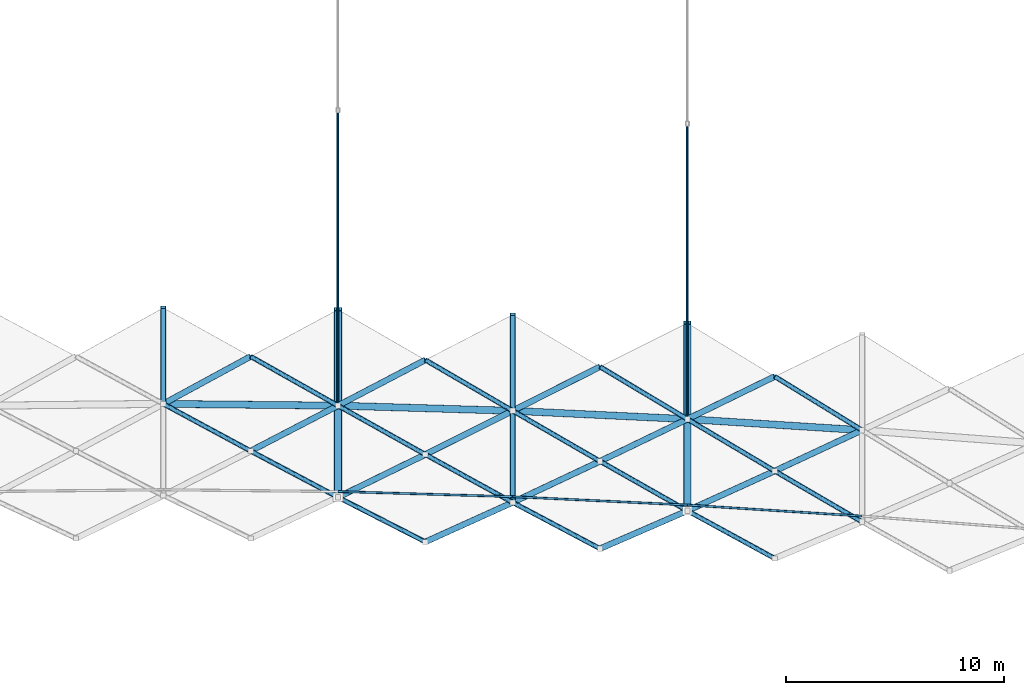
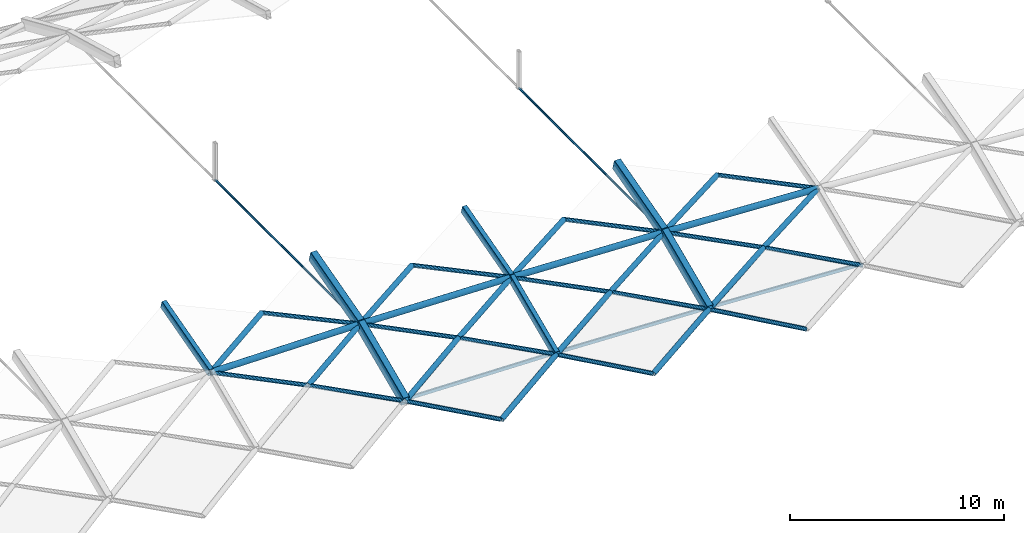
# One storey, part 10 of 54: 37 members, 7 beams.
"""IFC4 building model written with IfcOpenShell, lengths in metres."""

from ifc_helpers import new_model, si_unit, direction, frame, origin, origin_2d, place, context, subcontext, project, spatial, hollow_rectangle, hollow_circle, extrude, material, material_profile, profile_set, type_object, element, save


model = new_model("IFC4")

# Units and contexts
model_context = context("Model", 3, precision=1e-05, world=origin(), true_north=direction((0.0, 1.0)))
body_context = subcontext(model_context, "Body", "Model", "MODEL_VIEW")
ifc_project = project(units=[si_unit("LENGTHUNIT", "METRE"), si_unit("AREAUNIT", "SQUARE_METRE"), si_unit("VOLUMEUNIT", "CUBIC_METRE"), si_unit("PLANEANGLEUNIT", "RADIAN"), si_unit("MASSUNIT", "GRAM", prefix="KILO")], contexts=[model_context])

# Site, building, storey
site_placement = place(None, origin())
site = spatial("IfcSite", under=ifc_project, at=site_placement, CompositionType="ELEMENT")
building_placement = place(site_placement, origin())
building = spatial("IfcBuilding", under=site, at=building_placement, Name="Kenh Van Central Station", CompositionType="ELEMENT")
storey_placement = place(building_placement, frame((0.0, 0.0, 15.0)))
storey = spatial("IfcBuildingStorey", under=building, at=storey_placement, Name="L03", CompositionType="ELEMENT", Elevation=15.0)

# Beams
ifc_material = material(Name="White fluoropolymer structural steel S355", Category="steel")
ifc_material_profile_1 = material_profile(ifc_material, hollow_rectangle(XDim=0.35009765625, YDim=0.60009765625, WallThickness=0.01611328125, InnerFilletRadius=0.01611328125, OuterFilletRadius=0.031982421875, at=origin_2d()), Name="RHS 600x350x16")
ifc_profile_set_1 = profile_set([ifc_material_profile_1], Name="White fluoropolymer structural steel S355")
beam_type_1 = type_object("IfcBeamType", Name="BM-VAULT-ARCH600", PredefinedType="BEAM", material=ifc_profile_set_1)
beam_1_placement = place(storey_placement, frame((96.0, 73.38916015625, 2.228515625), z_axis=(0.0, 0.91578030048, 0.401679525559), x_axis=(-1.0, 0.0, 0.0)))
element("IfcBeam", 1, at=beam_1_placement, inside=storey, type_object=beam_type_1, Name="Vault transverse arch 096", PredefinedType="BEAM", context=body_context, shape_type="SweptSolid", body=[
    extrude(hollow_rectangle(XDim=0.35009765625, YDim=0.60009765625, WallThickness=0.01611328125, InnerFilletRadius=0.01611328125, OuterFilletRadius=0.031982421875, at=origin_2d()), origin(), (0.0, 0.0, 1.0), 4.582275390625),
])
beam_2_placement = place(storey_placement, frame((96.0, 77.58544921875, 4.069091796875), z_axis=(0.0, 0.96438556277, 0.26450044673), x_axis=(-1.0, 0.0, 0.0)))
element("IfcBeam", 2, at=beam_2_placement, inside=storey, type_object=beam_type_1, Name="Vault transverse arch 097", PredefinedType="BEAM", context=body_context, shape_type="SweptSolid", body=[
    extrude(hollow_rectangle(XDim=0.35009765625, YDim=0.60009765625, WallThickness=0.01611328125, InnerFilletRadius=0.01611328125, OuterFilletRadius=0.031982421875, at=origin_2d()), origin(), (0.0, 0.0, 1.0), 4.584716796875),
])
beam_3_placement = place(storey_placement, frame((112.0, 72.771240234375, 2.228515625), z_axis=(0.0, 0.91578030048, 0.401679525559), x_axis=(-1.0, 0.0, 0.0)))
element("IfcBeam", 3, at=beam_3_placement, inside=storey, type_object=beam_type_1, Name="Vault transverse arch 120", PredefinedType="BEAM", context=body_context, shape_type="SweptSolid", body=[
    extrude(hollow_rectangle(XDim=0.35009765625, YDim=0.60009765625, WallThickness=0.01611328125, InnerFilletRadius=0.01611328125, OuterFilletRadius=0.031982421875, at=origin_2d()), origin(), (0.0, 0.0, 1.0), 4.582275390625),
])
beam_4_placement = place(storey_placement, frame((112.0, 76.967529296875, 4.069091796875), z_axis=(0.0, 0.96438556277, 0.26450044673), x_axis=(-1.0, 0.0, 0.0)))
element("IfcBeam", 4, at=beam_4_placement, inside=storey, type_object=beam_type_1, Name="Vault transverse arch 121", PredefinedType="BEAM", context=body_context, shape_type="SweptSolid", body=[
    extrude(hollow_rectangle(XDim=0.35009765625, YDim=0.60009765625, WallThickness=0.01611328125, InnerFilletRadius=0.01611328125, OuterFilletRadius=0.031982421875, at=origin_2d()), origin(), (0.0, 0.0, 1.0), 4.584716796875),
])
ifc_material_profile_2 = material_profile(ifc_material, hollow_rectangle(XDim=0.25, YDim=0.449951171875, WallThickness=0.012451171875, InnerFilletRadius=0.012451171875, OuterFilletRadius=0.02490234375, at=origin_2d()), Name="RHS 450x250x12.5")
ifc_profile_set_2 = profile_set([ifc_material_profile_2], Name="White fluoropolymer structural steel S355")
beam_type_2 = type_object("IfcBeamType", Name="BM-VAULT-SUB450", PredefinedType="BEAM", material=ifc_profile_set_2)
beam_5_placement = place(storey_placement, frame((88.0, 77.665771484375, 4.069091796875), z_axis=(0.0, 0.964381836979, 0.264514030829), x_axis=(-1.0, 0.0, 0.0)))
element("IfcBeam", 5, at=beam_5_placement, inside=storey, type_object=beam_type_2, Name="Vault transverse arch 085", PredefinedType="BEAM", context=body_context, shape_type="SweptSolid", body=[
    extrude(hollow_rectangle(XDim=0.25, YDim=0.449951171875, WallThickness=0.012451171875, InnerFilletRadius=0.012451171875, OuterFilletRadius=0.02490234375, at=origin_2d()), origin(), (0.0, 0.0, 1.0), 4.58447265625),
])
beam_6_placement = place(storey_placement, frame((104.0, 73.152587890625, 2.228515625), z_axis=(0.0, 0.91578030048, 0.401679525559), x_axis=(-1.0, 0.0, 0.0)))
element("IfcBeam", 6, at=beam_6_placement, inside=storey, type_object=beam_type_2, Name="Vault transverse arch 108", PredefinedType="BEAM", context=body_context, shape_type="SweptSolid", body=[
    extrude(hollow_rectangle(XDim=0.25, YDim=0.449951171875, WallThickness=0.012451171875, InnerFilletRadius=0.012451171875, OuterFilletRadius=0.02490234375, at=origin_2d()), origin(), (0.0, 0.0, 1.0), 4.582275390625),
])
beam_7_placement = place(storey_placement, frame((104.0, 77.348876953125, 4.069091796875), z_axis=(0.0, 0.964381836979, 0.264514030829), x_axis=(-1.0, 0.0, 0.0)))
element("IfcBeam", 7, at=beam_7_placement, inside=storey, type_object=beam_type_2, Name="Vault transverse arch 109", PredefinedType="BEAM", context=body_context, shape_type="SweptSolid", body=[
    extrude(hollow_rectangle(XDim=0.25, YDim=0.449951171875, WallThickness=0.012451171875, InnerFilletRadius=0.012451171875, OuterFilletRadius=0.02490234375, at=origin_2d()), origin(), (0.0, 0.0, 1.0), 4.58447265625),
])

# Members
ifc_material_profile_3 = material_profile(ifc_material, hollow_rectangle(XDim=0.10009765625, YDim=0.199951171875, WallThickness=0.008056640625, InnerFilletRadius=0.008056640625, OuterFilletRadius=0.01611328125, at=origin_2d()), Name="RHS 200x100x8")
ifc_profile_set_3 = profile_set([ifc_material_profile_3], Name="White fluoropolymer structural steel S355")
member_type_1 = type_object("IfcMemberType", Name="MEM-PUR-RHS200", PredefinedType="PURLIN", material=ifc_profile_set_3)
member_1_placement = place(storey_placement, frame((96.0, 73.652587890625, 2.13330078125), z_axis=(0.999562147036, -0.029589089436, 0.0), x_axis=(0.029589089436, 0.999562147036, 0.0)))
element("IfcMember", 8, at=member_1_placement, inside=storey, type_object=member_type_1, Name="Vault longitudinal purlin 009", PredefinedType="PURLIN", context=body_context, shape_type="SweptSolid", body=[
    extrude(hollow_rectangle(XDim=0.10009765625, YDim=0.199951171875, WallThickness=0.008056640625, InnerFilletRadius=0.008056640625, OuterFilletRadius=0.01611328125, at=origin_2d()), origin(), (0.0, 0.0, 1.0), 8.00341796875),
])
member_2_placement = place(storey_placement, frame((104.0, 73.415771484375, 2.13330078125), z_axis=(0.998867240988, -0.047583977148, 0.0), x_axis=(0.047583977148, 0.998867240988, 0.0)))
element("IfcMember", 9, at=member_2_placement, inside=storey, type_object=member_type_1, Name="Vault longitudinal purlin 010", PredefinedType="PURLIN", context=body_context, shape_type="SweptSolid", body=[
    extrude(hollow_rectangle(XDim=0.10009765625, YDim=0.199951171875, WallThickness=0.008056640625, InnerFilletRadius=0.008056640625, OuterFilletRadius=0.01611328125, at=origin_2d()), origin(), (0.0, 0.0, 1.0), 8.009033203125),
])
member_3_placement = place(storey_placement, frame((112.0, 73.03466796875, 2.13330078125), z_axis=(0.997999125469, -0.063227727798, 0.0), x_axis=(0.063227727798, 0.997999125469, 0.0)))
element("IfcMember", 10, at=member_3_placement, inside=storey, type_object=member_type_1, Name="Vault longitudinal purlin 011", PredefinedType="PURLIN", context=body_context, shape_type="SweptSolid", body=[
    extrude(hollow_rectangle(XDim=0.10009765625, YDim=0.199951171875, WallThickness=0.008056640625, InnerFilletRadius=0.008056640625, OuterFilletRadius=0.01611328125, at=origin_2d()), origin(), (0.0, 0.0, 1.0), 8.01611328125),
])
ifc_material_profile_4 = material_profile(ifc_material, hollow_circle(Radius=0.109619140625, WallThickness=0.008056640625, at=origin_2d()), Name="CHS 219.1x8")
ifc_profile_set_4 = profile_set([ifc_material_profile_4], Name="White fluoropolymer structural steel S355")
member_type_2 = type_object("IfcMemberType", Name="MEM-VAULT-BRC219", PredefinedType="BRACE", material=ifc_profile_set_4)
member_4_placement = place(storey_placement, frame((88.0, 77.665771484375, 4.069091796875), z_axis=(0.865770395333, -0.466915723459, -0.18008700606), x_axis=(0.474676356703, 0.880160415145, 0.0)))
element("IfcMember", 11, at=member_4_placement, inside=storey, type_object=member_type_2, Name="Vault diamond grid member 0329", PredefinedType="BRACE", context=body_context, shape_type="SweptSolid", body=[
    extrude(hollow_circle(Radius=0.109619140625, WallThickness=0.008056640625, at=origin_2d()), origin(), (0.0, 0.0, 1.0), 4.6201171875),
])
member_5_placement = place(storey_placement, frame((92.0, 75.508544921875, 3.237060546875), z_axis=(0.862482594447, -0.456983117822, -0.217463110209), x_axis=(0.468187528717, 0.88362912919, 0.0)))
element("IfcMember", 12, at=member_5_placement, inside=storey, type_object=member_type_2, Name="Vault diamond grid member 0350", PredefinedType="BRACE", context=body_context, shape_type="SweptSolid", body=[
    extrude(hollow_circle(Radius=0.109619140625, WallThickness=0.008056640625, at=origin_2d()), origin(), (0.0, 0.0, 1.0), 4.6376953125),
])
member_6_placement = place(storey_placement, frame((92.0, 79.8369140625, 4.74560546875), z_axis=(0.862125735579, -0.485261446137, -0.145809961749), x_axis=(0.490503646244, 0.871439139023, 0.0)))
element("IfcMember", 13, at=member_6_placement, inside=storey, type_object=member_type_2, Name="Vault diamond grid member 0352", PredefinedType="BRACE", context=body_context, shape_type="SweptSolid", body=[
    extrude(hollow_circle(Radius=0.109619140625, WallThickness=0.008056640625, at=origin_2d()), origin(), (0.0, 0.0, 1.0), 4.6396484375),
])
member_7_placement = place(storey_placement, frame((96.0, 73.38916015625, 2.228515625), z_axis=(0.859632607116, -0.439417912878, -0.260660082529), x_axis=(0.455152234144, 0.890413636325, 0.0)))
element("IfcMember", 14, at=member_7_placement, inside=storey, type_object=member_type_2, Name="Vault diamond grid member 0373", PredefinedType="BRACE", context=body_context, shape_type="SweptSolid", body=[
    extrude(hollow_circle(Radius=0.109619140625, WallThickness=0.008056640625, at=origin_2d()), origin(), (0.0, 0.0, 1.0), 4.653076171875),
])
member_8_placement = place(storey_placement, frame((96.0, 77.58544921875, 4.069091796875), z_axis=(0.858807412035, -0.480143792373, -0.178638651136), x_axis=(0.487993287126, 0.872847381688, 0.0)))
element("IfcMember", 15, at=member_8_placement, inside=storey, type_object=member_type_2, Name="Vault diamond grid member 0375", PredefinedType="BRACE", context=body_context, shape_type="SweptSolid", body=[
    extrude(hollow_circle(Radius=0.109619140625, WallThickness=0.008056640625, at=origin_2d()), origin(), (0.0, 0.0, 1.0), 4.65771484375),
])
member_9_placement = place(storey_placement, frame((100.0, 75.34912109375, 3.237060546875), z_axis=(0.85588334556, -0.469994046631, -0.215799200471), x_axis=(0.481335385034, 0.876536506435, 0.0)))
element("IfcMember", 16, at=member_9_placement, inside=storey, type_object=member_type_2, Name="Vault diamond grid member 0398", PredefinedType="BRACE", context=body_context, shape_type="SweptSolid", body=[
    extrude(hollow_circle(Radius=0.109619140625, WallThickness=0.008056640625, at=origin_2d()), origin(), (0.0, 0.0, 1.0), 4.673583984375),
])
member_10_placement = place(storey_placement, frame((100.0, 79.677490234375, 4.74560546875), z_axis=(0.855136089076, -0.497820313575, -0.144627813893), x_axis=(0.503109947689, 0.864222413813, 0.0)))
element("IfcMember", 17, at=member_10_placement, inside=storey, type_object=member_type_2, Name="Vault diamond grid member 0400", PredefinedType="BRACE", context=body_context, shape_type="SweptSolid", body=[
    extrude(hollow_circle(Radius=0.109619140625, WallThickness=0.008056640625, at=origin_2d()), origin(), (0.0, 0.0, 1.0), 4.677734375),
])
member_11_placement = place(storey_placement, frame((104.0, 73.152587890625, 2.228515625), z_axis=(0.853563147203, -0.45215298795, -0.258819684772), x_axis=(0.468103301389, 0.883673751579, 0.0)))
element("IfcMember", 18, at=member_11_placement, inside=storey, type_object=member_type_2, Name="Vault diamond grid member 0421", PredefinedType="BRACE", context=body_context, shape_type="SweptSolid", body=[
    extrude(hollow_circle(Radius=0.109619140625, WallThickness=0.008056640625, at=origin_2d()), origin(), (0.0, 0.0, 1.0), 4.686279296875),
])
member_12_placement = place(storey_placement, frame((104.0, 77.348876953125, 4.069091796875), z_axis=(0.852204540013, -0.492264634197, -0.177265202171), x_axis=(0.500186019832, 0.865917978543, 0.0)))
element("IfcMember", 19, at=member_12_placement, inside=storey, type_object=member_type_2, Name="Vault diamond grid member 0423", PredefinedType="BRACE", context=body_context, shape_type="SweptSolid", body=[
    extrude(hollow_circle(Radius=0.109619140625, WallThickness=0.008056640625, at=origin_2d()), origin(), (0.0, 0.0, 1.0), 4.693603515625),
])
member_13_placement = place(storey_placement, frame((108.0, 75.038330078125, 3.237060546875), z_axis=(0.849778799879, -0.48163122166, -0.214260023334), x_axis=(0.493082238413, 0.869982704519, 0.0)))
element("IfcMember", 20, at=member_13_placement, inside=storey, type_object=member_type_2, Name="Vault diamond grid member 0446", PredefinedType="BRACE", context=body_context, shape_type="SweptSolid", body=[
    extrude(hollow_circle(Radius=0.109619140625, WallThickness=0.008056640625, at=origin_2d()), origin(), (0.0, 0.0, 1.0), 4.70703125),
])
member_14_placement = place(storey_placement, frame((108.0, 79.366455078125, 4.74560546875), z_axis=(0.848713514856, -0.509000182921, -0.143541574076), x_axis=(0.514326399051, 0.857594516797, 0.0)))
element("IfcMember", 21, at=member_14_placement, inside=storey, type_object=member_type_2, Name="Vault diamond grid member 0448", PredefinedType="BRACE", context=body_context, shape_type="SweptSolid", body=[
    extrude(hollow_circle(Radius=0.109619140625, WallThickness=0.008056640625, at=origin_2d()), origin(), (0.0, 0.0, 1.0), 4.713134765625),
])
member_15_placement = place(storey_placement, frame((112.0, 72.771240234375, 2.228515625), z_axis=(0.848143463442, -0.463155491176, -0.257176313866), x_axis=(0.479276186147, 0.87766413701, 0.0)))
element("IfcMember", 22, at=member_15_placement, inside=storey, type_object=member_type_2, Name="Vault diamond grid member 0469", PredefinedType="BRACE", context=body_context, shape_type="SweptSolid", body=[
    extrude(hollow_circle(Radius=0.109619140625, WallThickness=0.008056640625, at=origin_2d()), origin(), (0.0, 0.0, 1.0), 4.716064453125),
])
member_16_placement = place(storey_placement, frame((112.0, 76.967529296875, 4.069091796875), z_axis=(0.846335023839, -0.502718045166, -0.176044296951), x_axis=(0.510693937642, 0.859762584703, 0.0)))
element("IfcMember", 23, at=member_16_placement, inside=storey, type_object=member_type_2, Name="Vault diamond grid member 0471", PredefinedType="BRACE", context=body_context, shape_type="SweptSolid", body=[
    extrude(hollow_circle(Radius=0.109619140625, WallThickness=0.008056640625, at=origin_2d()), origin(), (0.0, 0.0, 1.0), 4.726318359375),
])
member_17_placement = place(storey_placement, frame((116.0, 74.591552734375, 3.237060546875), z_axis=(0.844557874395, -0.491301336722, -0.212943638863), x_axis=(0.502834095977, 0.864382942869, 0.0)))
element("IfcMember", 24, at=member_17_placement, inside=storey, type_object=member_type_2, Name="Vault diamond grid member 0494", PredefinedType="BRACE", context=body_context, shape_type="SweptSolid", body=[
    extrude(hollow_circle(Radius=0.109619140625, WallThickness=0.008056640625, at=origin_2d()), origin(), (0.0, 0.0, 1.0), 4.736083984375),
])
member_18_placement = place(storey_placement, frame((116.0, 78.919677734375, 4.74560546875), z_axis=(0.843216438224, -0.518312545737, -0.142611862202), x_axis=(0.523665088525, 0.851924219083, 0.0)))
element("IfcMember", 25, at=member_18_placement, inside=storey, type_object=member_type_2, Name="Vault diamond grid member 0496", PredefinedType="BRACE", context=body_context, shape_type="SweptSolid", body=[
    extrude(hollow_circle(Radius=0.109619140625, WallThickness=0.008056640625, at=origin_2d()), origin(), (0.0, 0.0, 1.0), 4.74365234375),
])
ifc_material_profile_5 = material_profile(ifc_material, hollow_circle(Radius=0.05712890625, WallThickness=0.010009765625, at=origin_2d()), Name="CHS 114.3x10")
ifc_profile_set_5 = profile_set([ifc_material_profile_5], Name="White fluoropolymer structural steel S355")
member_type_3 = type_object("IfcMemberType", Name="MEM-VAULT-CBL114", PredefinedType="BRACE", material=ifc_profile_set_5)
for number, where, z_axis, x_axis, name in (
    (26, (96.0, 77.58544921875, 4.069091796875), (0.0, 1.0, 0.0), (-1.0, 0.0, 0.0), "Vault internal bowstring tension tie 09"),
    (27, (112.0, 76.967529296875, 4.069091796875), (0.0, 1.0, 0.0), (-1.0, 0.0, 0.0), "Vault internal bowstring tension tie 11"),
):
    element("IfcMember", number, at=place(storey_placement, frame(where, z_axis=z_axis, x_axis=x_axis)), inside=storey, type_object=member_type_3, Name=name, PredefinedType="BRACE", context=body_context, shape_type="SweptSolid", body=[
        extrude(hollow_circle(Radius=0.05712890625, WallThickness=0.010009765625, at=origin_2d()), origin(), (0.0, 0.0, 1.0), 13.534423828125),
    ])
ifc_material_profile_6 = material_profile(ifc_material, hollow_circle(Radius=0.136474609375, WallThickness=0.010009765625, at=origin_2d()), Name="CHS 273x10")
ifc_profile_set_6 = profile_set([ifc_material_profile_6], Name="White fluoropolymer structural steel S355")
member_type_4 = type_object("IfcMemberType", Name="MEM-VAULT-CHD273", PredefinedType="CHORD", material=ifc_profile_set_6)
member_19_placement = place(storey_placement, frame((88.0, 77.665771484375, 4.069091796875), z_axis=(0.869328385546, 0.471858968058, 0.147028134543), x_axis=(-0.477043326817, 0.878879778092, 0.0)))
element("IfcMember", 28, at=member_19_placement, inside=storey, type_object=member_type_4, Name="Vault diamond grid member 0328", PredefinedType="CHORD", context=body_context, shape_type="SweptSolid", body=[
    extrude(hollow_circle(Radius=0.136474609375, WallThickness=0.010009765625, at=origin_2d()), origin(), (0.0, 0.0, 1.0), 4.601318359375),
])
member_20_placement = place(storey_placement, frame((92.0, 75.508544921875, 3.237060546875), z_axis=(0.87275089154, 0.453155019185, 0.181539003807), x_axis=(-0.460811988657, 0.887497780904, 0.0)))
element("IfcMember", 29, at=member_20_placement, inside=storey, type_object=member_type_4, Name="Vault diamond grid member 0349", PredefinedType="CHORD", context=body_context, shape_type="SweptSolid", body=[
    extrude(hollow_circle(Radius=0.136474609375, WallThickness=0.010009765625, at=origin_2d()), origin(), (0.0, 0.0, 1.0), 4.583251953125),
])
member_21_placement = place(storey_placement, frame((96.0, 73.38916015625, 2.228515625), z_axis=(0.875824948168, 0.429145671624, 0.220827200981), x_axis=(-0.440008176176, 0.897993766625, 0.0)))
element("IfcMember", 30, at=member_21_placement, inside=storey, type_object=member_type_4, Name="Vault diamond grid member 0372", PredefinedType="CHORD", context=body_context, shape_type="SweptSolid", body=[
    extrude(hollow_circle(Radius=0.136474609375, WallThickness=0.010009765625, at=origin_2d()), origin(), (0.0, 0.0, 1.0), 4.567138671875),
])
member_22_placement = place(storey_placement, frame((96.0, 77.58544921875, 4.069091796875), z_axis=(0.876335627512, 0.458332519052, 0.148213258291), x_axis=(-0.463451140535, 0.886122474795, 0.0)))
element("IfcMember", 31, at=member_22_placement, inside=storey, type_object=member_type_4, Name="Vault diamond grid member 0374", PredefinedType="CHORD", context=body_context, shape_type="SweptSolid", body=[
    extrude(hollow_circle(Radius=0.136474609375, WallThickness=0.010009765625, at=origin_2d()), origin(), (0.0, 0.0, 1.0), 4.564453125),
])
member_23_placement = place(storey_placement, frame((100.0, 71.344482421875, 1.015625), z_axis=(0.878318359161, 0.397023057126, 0.266326025898), x_axis=(-0.41189963402, 0.911229220062, 0.0)))
element("IfcMember", 32, at=member_23_placement, inside=storey, type_object=member_type_4, Name="Vault diamond grid member 0395", PredefinedType="CHORD", context=body_context, shape_type="SweptSolid", body=[
    extrude(hollow_circle(Radius=0.136474609375, WallThickness=0.010009765625, at=origin_2d()), origin(), (0.0, 0.0, 1.0), 4.55419921875),
])
member_24_placement = place(storey_placement, frame((100.0, 75.34912109375, 3.237060546875), z_axis=(0.8793587874, 0.439625721899, 0.18291349777), x_axis=(-0.447169920698, 0.894449027068, 0.0)))
element("IfcMember", 33, at=member_24_placement, inside=storey, type_object=member_type_4, Name="Vault diamond grid member 0397", PredefinedType="CHORD", context=body_context, shape_type="SweptSolid", body=[
    extrude(hollow_circle(Radius=0.136474609375, WallThickness=0.010009765625, at=origin_2d()), origin(), (0.0, 0.0, 1.0), 4.548828125),
])
member_25_placement = place(storey_placement, frame((104.0, 73.152587890625, 2.228515625), z_axis=(0.88187942497, 0.415749308988, 0.22235375394), x_axis=(-0.426424393875, 0.90452320938, 0.0)))
element("IfcMember", 34, at=member_25_placement, inside=storey, type_object=member_type_4, Name="Vault diamond grid member 0420", PredefinedType="CHORD", context=body_context, shape_type="SweptSolid", body=[
    extrude(hollow_circle(Radius=0.136474609375, WallThickness=0.010009765625, at=origin_2d()), origin(), (0.0, 0.0, 1.0), 4.535888671875),
])
member_26_placement = place(storey_placement, frame((104.0, 77.348876953125, 4.069091796875), z_axis=(0.882843208628, 0.445301286383, 0.14931387519), x_axis=(-0.450349775094, 0.892852216256, 0.0)))
element("IfcMember", 35, at=member_26_placement, inside=storey, type_object=member_type_4, Name="Vault diamond grid member 0422", PredefinedType="CHORD", context=body_context, shape_type="SweptSolid", body=[
    extrude(hollow_circle(Radius=0.136474609375, WallThickness=0.010009765625, at=origin_2d()), origin(), (0.0, 0.0, 1.0), 4.53076171875),
])
member_27_placement = place(storey_placement, frame((108.0, 71.03369140625, 1.015625), z_axis=(0.883663890888, 0.383852289517, 0.267946912227), x_axis=(-0.398421083066, 0.917202616966, 0.0)))
element("IfcMember", 36, at=member_27_placement, inside=storey, type_object=member_type_4, Name="Vault diamond grid member 0443", PredefinedType="CHORD", context=body_context, shape_type="SweptSolid", body=[
    extrude(hollow_circle(Radius=0.136474609375, WallThickness=0.010009765625, at=origin_2d()), origin(), (0.0, 0.0, 1.0), 4.526611328125),
])
member_28_placement = place(storey_placement, frame((108.0, 75.038330078125, 3.237060546875), z_axis=(0.885309297688, 0.426984501363, 0.184151250398), x_axis=(-0.434413883268, 0.900713371736, 0.0)))
element("IfcMember", 37, at=member_28_placement, inside=storey, type_object=member_type_4, Name="Vault diamond grid member 0445", PredefinedType="CHORD", context=body_context, shape_type="SweptSolid", body=[
    extrude(hollow_circle(Radius=0.136474609375, WallThickness=0.010009765625, at=origin_2d()), origin(), (0.0, 0.0, 1.0), 4.518310546875),
])
member_29_placement = place(storey_placement, frame((112.0, 72.771240234375, 2.228515625), z_axis=(0.887122961881, 0.403710254137, 0.223675839571), x_axis=(-0.414204713494, 0.910183748108, 0.0)))
element("IfcMember", 38, at=member_29_placement, inside=storey, type_object=member_type_4, Name="Vault diamond grid member 0468", PredefinedType="CHORD", context=body_context, shape_type="SweptSolid", body=[
    extrude(hollow_circle(Radius=0.136474609375, WallThickness=0.010009765625, at=origin_2d()), origin(), (0.0, 0.0, 1.0), 4.509033203125),
])
member_30_placement = place(storey_placement, frame((112.0, 76.967529296875, 4.069091796875), z_axis=(0.888481941737, 0.433612158577, 0.1502675452), x_axis=(-0.438592211472, 0.898686192192, 0.0)))
element("IfcMember", 39, at=member_30_placement, inside=storey, type_object=member_type_4, Name="Vault diamond grid member 0470", PredefinedType="CHORD", context=body_context, shape_type="SweptSolid", body=[
    extrude(hollow_circle(Radius=0.136474609375, WallThickness=0.010009765625, at=origin_2d()), origin(), (0.0, 0.0, 1.0), 4.501953125),
])
member_31_placement = place(storey_placement, frame((116.0, 74.591552734375, 3.237060546875), z_axis=(0.890277587128, 0.416067839639, 0.185184693416), x_axis=(-0.42339092153, 0.905947088723, 0.0)))
element("IfcMember", 40, at=member_31_placement, inside=storey, type_object=member_type_4, Name="Vault diamond grid member 0493", PredefinedType="CHORD", context=body_context, shape_type="SweptSolid", body=[
    extrude(hollow_circle(Radius=0.136474609375, WallThickness=0.010009765625, at=origin_2d()), origin(), (0.0, 0.0, 1.0), 4.492919921875),
])
ifc_material_profile_7 = material_profile(ifc_material, hollow_circle(Radius=0.161865234375, WallThickness=0.010009765625, at=origin_2d()), Name="CHS 323.9x10")
ifc_profile_set_7 = profile_set([ifc_material_profile_7], Name="White fluoropolymer structural steel S355")
member_type_5 = type_object("IfcMemberType", Name="MEM-VAULT-CHD324", PredefinedType="CHORD", material=ifc_profile_set_7)
member_32_placement = place(storey_placement, frame((88.0, 77.665771484375, 4.069091796875), z_axis=(0.999949600167, -0.010039777175, 0.0), x_axis=(0.010039777175, 0.999949600167, 0.0)))
element("IfcMember", 41, at=member_32_placement, inside=storey, type_object=member_type_5, Name="Vault longitudinal spine chord 22", PredefinedType="CHORD", context=body_context, shape_type="SweptSolid", body=[
    extrude(hollow_circle(Radius=0.161865234375, WallThickness=0.010009765625, at=origin_2d()), origin(), (0.0, 0.0, 1.0), 8.00048828125),
])
member_33_placement = place(storey_placement, frame((96.0, 77.58544921875, 4.069091796875), z_axis=(0.999563048769, -0.029558611885, 0.0), x_axis=(0.029558611885, 0.999563048769, 0.0)))
element("IfcMember", 42, at=member_33_placement, inside=storey, type_object=member_type_5, Name="Vault longitudinal spine chord 23", PredefinedType="CHORD", context=body_context, shape_type="SweptSolid", body=[
    extrude(hollow_circle(Radius=0.161865234375, WallThickness=0.010009765625, at=origin_2d()), origin(), (0.0, 0.0, 1.0), 8.00341796875),
])
member_34_placement = place(storey_placement, frame((104.0, 77.348876953125, 4.069091796875), z_axis=(0.998865791667, -0.04761439107, 0.0), x_axis=(0.04761439107, 0.998865791667, 0.0)))
element("IfcMember", 43, at=member_34_placement, inside=storey, type_object=member_type_5, Name="Vault longitudinal spine chord 24", PredefinedType="CHORD", context=body_context, shape_type="SweptSolid", body=[
    extrude(hollow_circle(Radius=0.161865234375, WallThickness=0.010009765625, at=origin_2d()), origin(), (0.0, 0.0, 1.0), 8.009033203125),
])
member_35_placement = place(storey_placement, frame((112.0, 76.967529296875, 4.069091796875), z_axis=(0.998001046855, -0.063197392951, 0.0), x_axis=(0.063197392951, 0.998001046855, 0.0)))
element("IfcMember", 44, at=member_35_placement, inside=storey, type_object=member_type_5, Name="Vault longitudinal spine chord 25", PredefinedType="CHORD", context=body_context, shape_type="SweptSolid", body=[
    extrude(hollow_circle(Radius=0.161865234375, WallThickness=0.010009765625, at=origin_2d()), origin(), (0.0, 0.0, 1.0), 8.01611328125),
])

save(model, "model.ifc")
